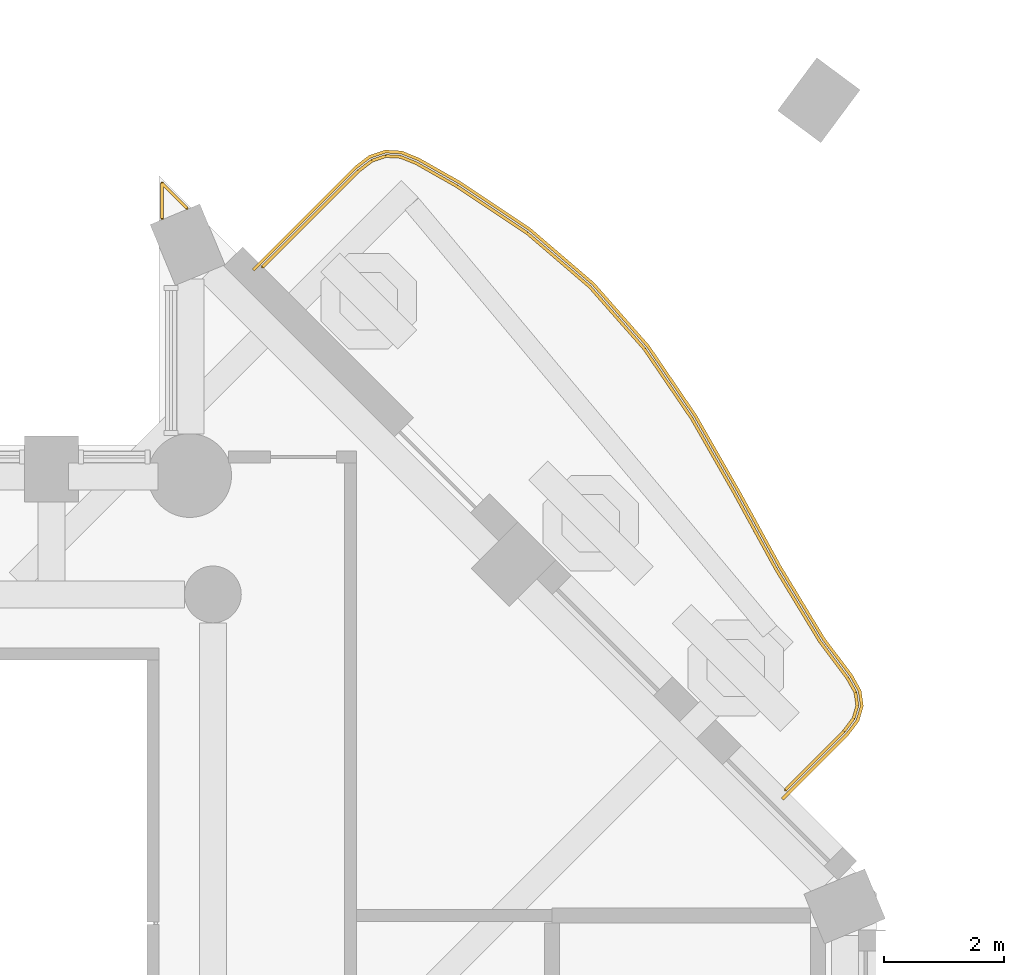
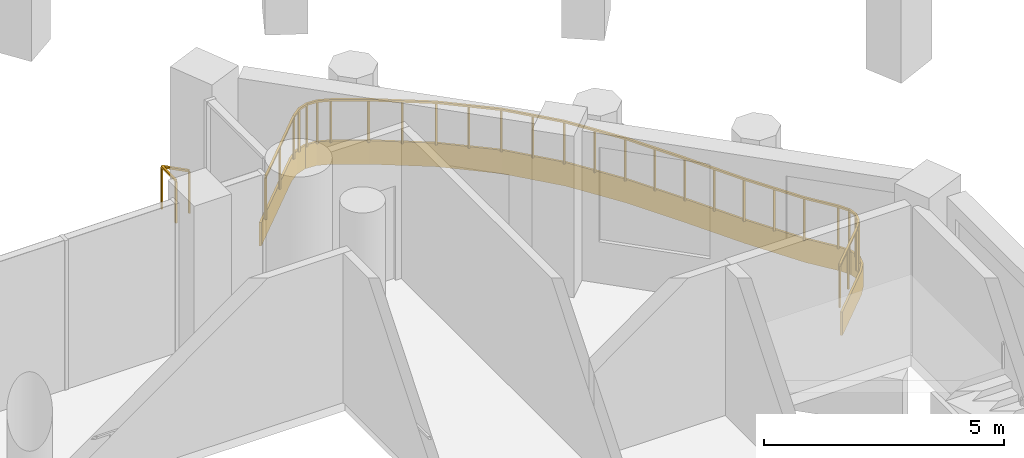
# One storey, part 14 of 15: 2 railings, 1 covering.
"""IFC4 building model written with IfcOpenShell, lengths in metres."""

from ifc_helpers import new_model, si_unit, direction, frame, origin, origin_2d, place, context, subcontext, project, spatial, polyline, rectangle, outline, extrude, material, layer, layer_set, type_object, element, save


model = new_model("IFC4")

# Units and contexts
model_context = context("Model", 3, precision=1e-05, world=origin(), true_north=direction((0.0, 1.0)))
body_context = subcontext(model_context, "Body", "Model", "MODEL_VIEW")
ifc_project = project(units=[si_unit("LENGTHUNIT", "METRE"), si_unit("AREAUNIT", "SQUARE_METRE"), si_unit("VOLUMEUNIT", "CUBIC_METRE"), si_unit("PLANEANGLEUNIT", "RADIAN"), si_unit("MASSUNIT", "GRAM", prefix="KILO")], contexts=[model_context])

# Site, building, storey
site_placement = place(None, origin())
site = spatial("IfcSite", under=ifc_project, at=site_placement, CompositionType="ELEMENT")
building_placement = place(site_placement, origin())
building = spatial("IfcBuilding", under=site, at=building_placement, Name="Cypress Arch Tower", CompositionType="ELEMENT")
storey_placement = place(building_placement, frame((0.0, 0.0, 234.300048828125)))
storey = spatial("IfcBuildingStorey", under=building, at=storey_placement, Name="L52", CompositionType="ELEMENT", Elevation=234.300048828125)

# Covering
ifc_material_1 = material(Name="White powder-coated aluminium fascia", Category="aluminium")
ifc_layer = layer(ifc_material_1, 0.050048828125)
ifc_layer_set = layer_set([ifc_layer], Name="Balcony fascia BF50")
covering_type = type_object("IfcCoveringType", Name="Balcony fascia BF50", PredefinedType="CLADDING", material=ifc_layer_set)
covering_placement = place(storey_placement, frame((0.0, 0.0, -0.60009765625)))
element("IfcCovering", 1, at=covering_placement, inside=storey, type_object=covering_type, Name="Balcony fascia L52-B05", PredefinedType="CLADDING", context=body_context, shape_type="SweptSolid", body=[
    extrude(outline(polyline([(11.36962890625, 17.158447265625), (11.6142578125, 17.345703125), (11.879638671875, 17.4345703125), (12.159423828125, 17.419921875), (12.445068359375, 17.3046875), (13.1376953125, 16.91259765625), (14.317138671875, 16.125732421875), (15.377197265625, 15.217041015625), (16.298583984375, 14.16943359375), (17.094970703125, 12.999267578125), (17.80908203125, 11.75048828125), (18.502197265625, 10.48486328125), (19.23974609375, 9.267822265625), (19.702880859375, 8.65185546875), (19.8466796875, 8.392822265625), (19.88427734375, 8.132080078125), (19.810546875, 7.879150390625), (19.631591796875, 7.642822265625), (18.545166015625, 6.556396484375), (18.509765625, 6.591796875), (19.59375, 7.67578125), (19.764892578125, 7.902099609375), (19.833251953125, 8.1357421875), (19.798583984375, 8.37646484375), (19.660888671875, 8.62451171875), (19.1982421875, 9.23974609375), (18.458740234375, 10.4599609375), (17.765380859375, 11.72607421875), (17.052490234375, 12.972900390625), (16.259033203125, 14.138671875), (15.342041015625, 15.18115234375), (14.287109375, 16.0859375), (13.111572265625, 16.869873046875), (12.42333984375, 17.259521484375), (12.1484375, 17.370361328125), (11.88671875, 17.38427734375), (11.63818359375, 17.301025390625), (11.40283203125, 17.120849609375), (9.691650390625, 15.40966796875), (9.65625, 15.445068359375), (11.36962890625, 17.158447265625)])), origin(), (0.0, 0.0, 1.0), 0.60009765625),
])

# Railings
ifc_material_2 = material(Name="Powder-coated steel posts and rods, 100 mm clear between rods", Category="steel")
railing_type_1 = type_object("IfcRailingType", Name="Balcony guard GR1100", PredefinedType="GUARDRAIL", material=ifc_material_2)
railing_1_placement = place(storey_placement, frame((9.83251953125, 15.479736328125, 0.0)))
element("IfcRailing", 2, at=railing_1_placement, inside=storey, type_object=railing_type_1, Name="Balcony guard L52-B05", PredefinedType="GUARDRAIL", context=body_context, shape_type="SweptSolid", body=[
    extrude(rectangle(XDim=0.050048828125, YDim=0.050048828125, at=origin_2d()), frame((0.0, 0.0, 1.0751953125), z_axis=(0.707106781187, 0.707106781187, 0.0), x_axis=(-0.707106781187, 0.707106781187, 0.0)), (0.0, 0.0, 1.0), 2.267333984375),
    extrude(rectangle(XDim=0.050048828125, YDim=0.050048828125, at=origin_2d()), frame((1.603271484375, 1.603271484375, 1.0751953125), z_axis=(0.793992620811, 0.607927395416, 0.0), x_axis=(-0.607927395416, 0.793992620811, 0.0)), (0.0, 0.0, 1.0), 0.28466796875),
    extrude(rectangle(XDim=0.050048828125, YDim=0.050048828125, at=origin_2d()), frame((1.829345703125, 1.7763671875, 1.0751953125), z_axis=(0.948182544931, 0.317726079334, 0.0), x_axis=(-0.317726079334, 0.948182544931, 0.0)), (0.0, 0.0, 1.0), 0.244384765625),
    extrude(rectangle(XDim=0.050048828125, YDim=0.050048828125, at=origin_2d()), frame((2.06103515625, 1.85400390625, 1.0751953125), z_axis=(0.998595650626, -0.052978548031, 0.0), x_axis=(0.052978548031, 0.998595650626, 0.0)), (0.0, 0.0, 1.0), 0.244140625),
    extrude(rectangle(XDim=0.050048828125, YDim=0.050048828125, at=origin_2d()), frame((2.304931640625, 1.841064453125, 1.0751953125), z_axis=(0.927527765416, -0.373754256674, 0.0), x_axis=(0.373754256674, 0.927527765416, 0.0)), (0.0, 0.0, 1.0), 0.284912109375),
    extrude(rectangle(XDim=0.050048828125, YDim=0.050048828125, at=origin_2d()), frame((2.569091796875, 1.734619140625, 1.0751953125), z_axis=(0.870244285301, -0.492620425786, 0.0), x_axis=(0.492620425786, 0.870244285301, 0.0)), (0.0, 0.0, 1.0), 0.785400390625),
    extrude(rectangle(XDim=0.050048828125, YDim=0.050048828125, at=origin_2d()), frame((3.252685546875, 1.34765625, 1.0751953125), z_axis=(0.831916922495, -0.554900201898, 0.0), x_axis=(0.554900201898, 0.831916922495, 0.0)), (0.0, 0.0, 1.0), 1.408447265625),
    extrude(rectangle(XDim=0.050048828125, YDim=0.050048828125, at=origin_2d()), frame((4.42431640625, 0.566162109375, 1.0751953125), z_axis=(0.759057197405, -0.651023940472, 0.0), x_axis=(0.651023940472, 0.759057197405, 0.0)), (0.0, 0.0, 1.0), 1.383056640625),
    extrude(rectangle(XDim=0.050048828125, YDim=0.050048828125, at=origin_2d()), frame((5.47412109375, -0.334228515625, 1.0751953125), z_axis=(0.660615946036, -0.750724031748, 0.0), x_axis=(0.750724031748, 0.660615946036, 0.0)), (0.0, 0.0, 1.0), 1.3818359375),
    extrude(rectangle(XDim=0.050048828125, YDim=0.050048828125, at=origin_2d()), frame((6.386962890625, -1.37158203125, 1.0751953125), z_axis=(0.56265207503, -0.82669380212, 0.0), x_axis=(0.82669380212, 0.56265207503, 0.0)), (0.0, 0.0, 1.0), 1.405517578125),
    extrude(rectangle(XDim=0.050048828125, YDim=0.050048828125, at=origin_2d()), frame((7.177734375, -2.533447265625, 1.0751953125), z_axis=(0.496377316994, -0.868106882345, 0.0), x_axis=(0.868106882345, 0.496377316994, 0.0)), (0.0, 0.0, 1.0), 1.433837890625),
    extrude(rectangle(XDim=0.050048828125, YDim=0.050048828125, at=origin_2d()), frame((7.889404296875, -3.778076171875, 1.0751953125), z_axis=(0.480237215851, -0.877138652957, 0.0), x_axis=(0.877138652957, 0.480237215851, 0.0)), (0.0, 0.0, 1.0), 1.4443359375),
    extrude(rectangle(XDim=0.050048828125, YDim=0.050048828125, at=origin_2d()), frame((8.5830078125, -5.044921875, 1.0751953125), z_axis=(0.518331985981, -0.855179485435, 0.0), x_axis=(0.855179485435, 0.518331985981, 0.0)), (0.0, 0.0, 1.0), 1.429931640625),
    extrude(rectangle(XDim=0.050048828125, YDim=0.050048828125, at=origin_2d()), frame((9.32421875, -6.267822265625, 1.0751953125), z_axis=(0.600710964044, -0.799466283015, 0.0), x_axis=(0.799466283015, 0.600710964044, 0.0)), (0.0, 0.0, 1.0), 0.76904296875),
    extrude(rectangle(XDim=0.050048828125, YDim=0.050048828125, at=origin_2d()), frame((9.7861328125, -6.882568359375, 1.0751953125), z_axis=(0.48571944199, -0.874114765733, 0.0), x_axis=(0.874114765733, 0.48571944199, 0.0)), (0.0, 0.0, 1.0), 0.27099609375),
    extrude(rectangle(XDim=0.050048828125, YDim=0.050048828125, at=origin_2d()), frame((9.917724609375, -7.119384765625, 1.0751953125), z_axis=(0.143103436712, -0.989707737871, 0.0), x_axis=(0.989707737871, 0.143103436712, 0.0)), (0.0, 0.0, 1.0), 0.223388671875),
    extrude(rectangle(XDim=0.050048828125, YDim=0.050048828125, at=origin_2d()), frame((9.94970703125, -7.340576171875, 1.0751953125), z_axis=(-0.281218314184, -0.95964381922, 0.0), x_axis=(0.95964381922, -0.281218314184, 0.0)), (0.0, 0.0, 1.0), 0.22314453125),
    extrude(rectangle(XDim=0.050048828125, YDim=0.050048828125, at=origin_2d()), frame((9.886962890625, -7.5546875, 1.0751953125), z_axis=(-0.60259095912, -0.798050208939, 0.0), x_axis=(0.798050208939, -0.60259095912, 0.0)), (0.0, 0.0, 1.0), 0.27099609375),
    extrude(rectangle(XDim=0.050048828125, YDim=0.050048828125, at=origin_2d()), frame((9.7236328125, -7.77099609375, 1.0751953125), z_axis=(-0.707106781187, -0.707106781187, 0.0), x_axis=(0.707106781187, -0.707106781187, 0.0)), (0.0, 0.0, 1.0), 1.380615234375),
    extrude(rectangle(XDim=0.0400390625, YDim=0.0400390625, at=origin_2d()), origin(), (0.0, 0.0, 1.0), 1.050048828125),
    extrude(rectangle(XDim=0.0400390625, YDim=0.0400390625, at=origin_2d()), frame((0.8017578125, 0.8017578125, 0.0)), (0.0, 0.0, 1.0), 1.050048828125),
    extrude(rectangle(XDim=0.0400390625, YDim=0.0400390625, at=origin_2d()), frame((1.603271484375, 1.603271484375, 0.0)), (0.0, 0.0, 1.0), 1.050048828125),
    extrude(rectangle(XDim=0.0400390625, YDim=0.0400390625, at=origin_2d()), frame((1.829345703125, 1.7763671875, 0.0)), (0.0, 0.0, 1.0), 1.050048828125),
    extrude(rectangle(XDim=0.0400390625, YDim=0.0400390625, at=origin_2d()), frame((2.06103515625, 1.85400390625, 0.0)), (0.0, 0.0, 1.0), 1.050048828125),
    extrude(rectangle(XDim=0.0400390625, YDim=0.0400390625, at=origin_2d()), frame((2.304931640625, 1.841064453125, 0.0)), (0.0, 0.0, 1.0), 1.050048828125),
    extrude(rectangle(XDim=0.0400390625, YDim=0.0400390625, at=origin_2d()), frame((2.569091796875, 1.734619140625, 0.0)), (0.0, 0.0, 1.0), 1.050048828125),
    extrude(rectangle(XDim=0.0400390625, YDim=0.0400390625, at=origin_2d()), frame((3.252685546875, 1.34765625, 0.0)), (0.0, 0.0, 1.0), 1.050048828125),
    extrude(rectangle(XDim=0.0400390625, YDim=0.0400390625, at=origin_2d()), frame((3.83837890625, 0.95703125, 0.0)), (0.0, 0.0, 1.0), 1.050048828125),
    extrude(rectangle(XDim=0.0400390625, YDim=0.0400390625, at=origin_2d()), frame((4.42431640625, 0.566162109375, 0.0)), (0.0, 0.0, 1.0), 1.050048828125),
    extrude(rectangle(XDim=0.0400390625, YDim=0.0400390625, at=origin_2d()), frame((4.94921875, 0.115966796875, 0.0)), (0.0, 0.0, 1.0), 1.050048828125),
    extrude(rectangle(XDim=0.0400390625, YDim=0.0400390625, at=origin_2d()), frame((5.47412109375, -0.334228515625, 0.0)), (0.0, 0.0, 1.0), 1.050048828125),
    extrude(rectangle(XDim=0.0400390625, YDim=0.0400390625, at=origin_2d()), frame((5.9306640625, -0.85302734375, 0.0)), (0.0, 0.0, 1.0), 1.050048828125),
    extrude(rectangle(XDim=0.0400390625, YDim=0.0400390625, at=origin_2d()), frame((6.386962890625, -1.37158203125, 0.0)), (0.0, 0.0, 1.0), 1.050048828125),
    extrude(rectangle(XDim=0.0400390625, YDim=0.0400390625, at=origin_2d()), frame((6.7822265625, -1.95263671875, 0.0)), (0.0, 0.0, 1.0), 1.050048828125),
    extrude(rectangle(XDim=0.0400390625, YDim=0.0400390625, at=origin_2d()), frame((7.177734375, -2.533447265625, 0.0)), (0.0, 0.0, 1.0), 1.050048828125),
    extrude(rectangle(XDim=0.0400390625, YDim=0.0400390625, at=origin_2d()), frame((7.53369140625, -3.15576171875, 0.0)), (0.0, 0.0, 1.0), 1.050048828125),
    extrude(rectangle(XDim=0.0400390625, YDim=0.0400390625, at=origin_2d()), frame((7.889404296875, -3.778076171875, 0.0)), (0.0, 0.0, 1.0), 1.050048828125),
    extrude(rectangle(XDim=0.0400390625, YDim=0.0400390625, at=origin_2d()), frame((8.236328125, -4.41162109375, 0.0)), (0.0, 0.0, 1.0), 1.050048828125),
    extrude(rectangle(XDim=0.0400390625, YDim=0.0400390625, at=origin_2d()), frame((8.5830078125, -5.044921875, 0.0)), (0.0, 0.0, 1.0), 1.050048828125),
    extrude(rectangle(XDim=0.0400390625, YDim=0.0400390625, at=origin_2d()), frame((8.95361328125, -5.65625, 0.0)), (0.0, 0.0, 1.0), 1.050048828125),
    extrude(rectangle(XDim=0.0400390625, YDim=0.0400390625, at=origin_2d()), frame((9.32421875, -6.267822265625, 0.0)), (0.0, 0.0, 1.0), 1.050048828125),
    extrude(rectangle(XDim=0.0400390625, YDim=0.0400390625, at=origin_2d()), frame((9.7861328125, -6.882568359375, 0.0)), (0.0, 0.0, 1.0), 1.050048828125),
    extrude(rectangle(XDim=0.0400390625, YDim=0.0400390625, at=origin_2d()), frame((9.917724609375, -7.119384765625, 0.0)), (0.0, 0.0, 1.0), 1.050048828125),
    extrude(rectangle(XDim=0.0400390625, YDim=0.0400390625, at=origin_2d()), frame((9.94970703125, -7.340576171875, 0.0)), (0.0, 0.0, 1.0), 1.050048828125),
    extrude(rectangle(XDim=0.0400390625, YDim=0.0400390625, at=origin_2d()), frame((9.886962890625, -7.5546875, 0.0)), (0.0, 0.0, 1.0), 1.050048828125),
    extrude(rectangle(XDim=0.0400390625, YDim=0.0400390625, at=origin_2d()), frame((9.7236328125, -7.77099609375, 0.0)), (0.0, 0.0, 1.0), 1.050048828125),
    extrude(rectangle(XDim=0.0400390625, YDim=0.0400390625, at=origin_2d()), frame((9.2353515625, -8.25927734375, 0.0)), (0.0, 0.0, 1.0), 1.050048828125),
    extrude(rectangle(XDim=0.0400390625, YDim=0.0400390625, at=origin_2d()), frame((8.747314453125, -8.747314453125, 0.0)), (0.0, 0.0, 1.0), 1.050048828125),
])
ifc_material_3 = material(Name="Powder-coated steel posts and rods, 100 mm clear between rods", Category="steel")
railing_type_2 = type_object("IfcRailingType", Name="Corner guard GR1100C", PredefinedType="GUARDRAIL", material=ifc_material_3)
railing_2_placement = place(storey_placement, frame((8.14990234375, 16.290771484375, 0.0)))
element("IfcRailing", 3, at=railing_2_placement, inside=storey, type_object=railing_type_2, Name="Corner guard L52 7", PredefinedType="GUARDRAIL", context=body_context, shape_type="SweptSolid", body=[
    extrude(rectangle(XDim=0.050048828125, YDim=0.050048828125, at=origin_2d()), frame((0.0, 0.0, 1.0751953125), z_axis=(0.0, 1.0, 0.0), x_axis=(-1.0, 0.0, 0.0)), (0.0, 0.0, 1.0), 0.588623046875),
    extrude(rectangle(XDim=0.050048828125, YDim=0.050048828125, at=origin_2d()), frame((0.0, 0.588623046875, 1.0751953125), z_axis=(0.707106781187, -0.707106781187, 0.0), x_axis=(0.707106781187, 0.707106781187, 0.0)), (0.0, 0.0, 1.0), 0.588623046875),
    extrude(rectangle(XDim=0.0400390625, YDim=0.0400390625, at=origin_2d()), origin(), (0.0, 0.0, 1.0), 1.050048828125),
    extrude(rectangle(XDim=0.0400390625, YDim=0.0400390625, at=origin_2d()), frame((0.0, 0.588623046875, 0.0)), (0.0, 0.0, 1.0), 1.050048828125),
    extrude(rectangle(XDim=0.0400390625, YDim=0.0400390625, at=origin_2d()), frame((0.416259765625, 0.17236328125, 0.0)), (0.0, 0.0, 1.0), 1.050048828125),
])

save(model, "model.ifc")
